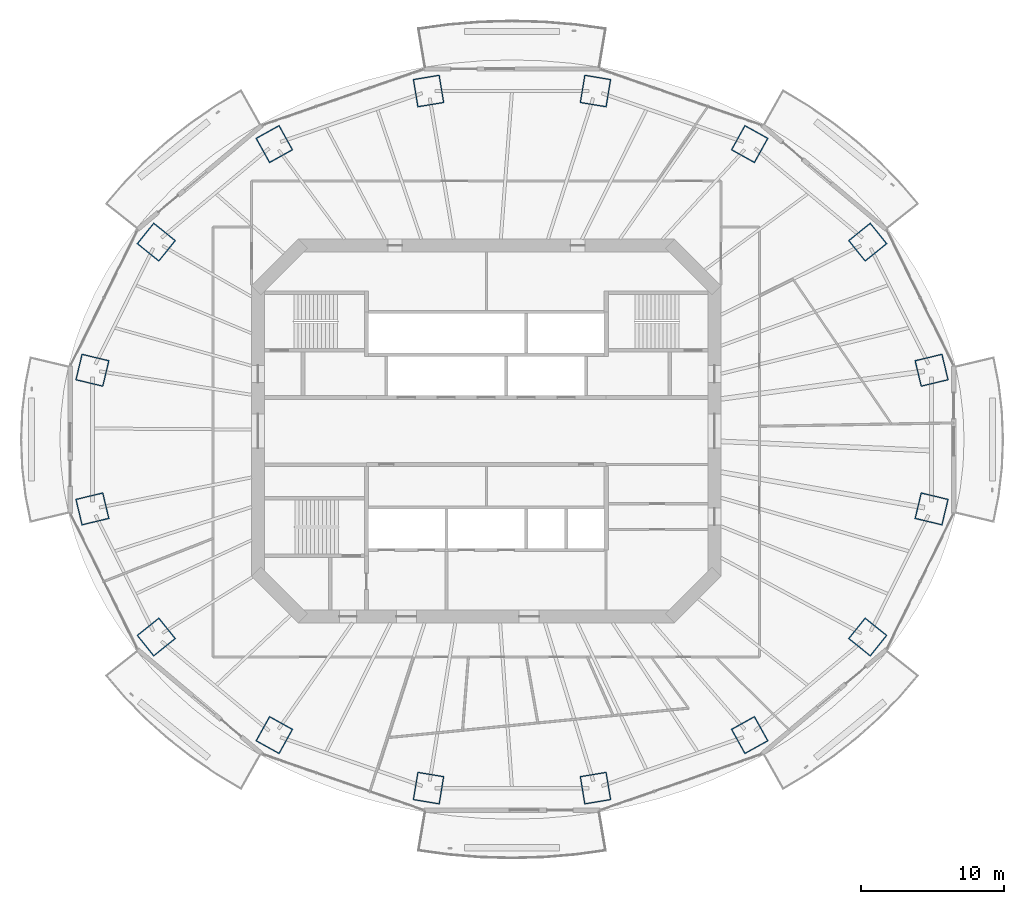
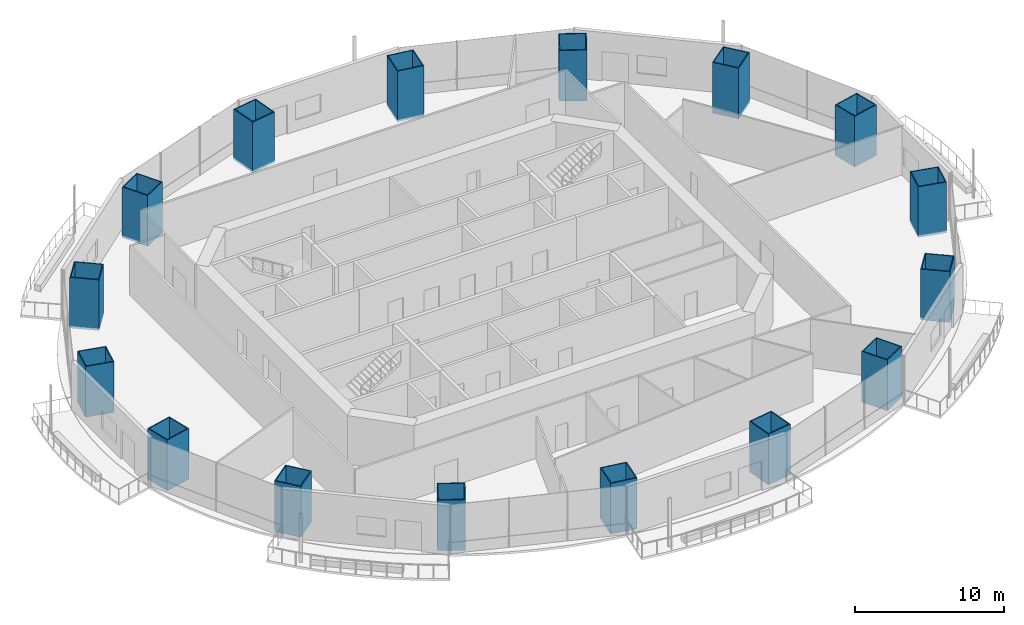
# One storey, part 1 of 21: 16 columns.
"""IFC4 building model written with IfcOpenShell, lengths in metres."""

from ifc_helpers import new_model, si_unit, direction, frame, origin, origin_2d, place, context, subcontext, project, spatial, rectangle, hollow_rectangle, extrude, material, material_profile, profile_set, type_object, element, save


model = new_model("IFC4")

# Units and contexts
model_context = context("Model", 3, precision=1e-05, world=origin(), true_north=direction((0.0, 1.0)))
body_context = subcontext(model_context, "Body", "Model", "MODEL_VIEW")
ifc_project = project(units=[si_unit("LENGTHUNIT", "METRE"), si_unit("AREAUNIT", "SQUARE_METRE"), si_unit("VOLUMEUNIT", "CUBIC_METRE"), si_unit("PLANEANGLEUNIT", "RADIAN"), si_unit("MASSUNIT", "GRAM", prefix="KILO")], contexts=[model_context])

# Site, building, storey
site_placement = place(None, origin())
site = spatial("IfcSite", under=ifc_project, at=site_placement, CompositionType="ELEMENT")
building_placement = place(site_placement, origin())
building = spatial("IfcBuilding", under=site, at=building_placement, Name="Marenthal Gate Tower", CompositionType="ELEMENT")
storey_placement = place(building_placement, frame((0.0, 0.0, 206.699951171875)))
storey = spatial("IfcBuildingStorey", under=building, at=storey_placement, Name="L45", CompositionType="ELEMENT", Elevation=206.699951171875)

# Columns
ifc_material_1 = material(Name="Steel S460", Category="steel")
ifc_material_profile_1 = material_profile(ifc_material_1, hollow_rectangle(XDim=1.89990234375, YDim=2.0, WallThickness=0.070068359375, at=origin_2d()), Name="CFT BOX 2000X1900X70")
ifc_material_2 = material(Name="Concrete 70 MPa", Category="concrete")
ifc_material_profile_2 = material_profile(ifc_material_2, rectangle(XDim=1.760009765625, YDim=1.860107421875, at=origin_2d()), Name="CFT BOX 2000X1900X70 INFILL")
ifc_profile_set = profile_set([ifc_material_profile_1, ifc_material_profile_2], Name="Steel S460 shell, Concrete 70 MPa infill")
column_type = type_object("IfcColumnType", Name="CFT BOX 2000X1900X70", PredefinedType="COLUMN", material=ifc_profile_set)
for number, where, z_axis, x_axis, name in (
    (1, (31.2158203125, 4.2607421875, -0.179931640625), (0.0, 0.0, 1.0), (0.232863214816, -0.972509497735, 0.0), "COL-L45-01"),
    (2, (26.7373046875, 13.241943359375, -0.179931640625), (0.0, 0.0, 1.0), (0.626752061972, -0.779218745164, 0.0), "COL-L45-02"),
    (3, (18.462646484375, 20.1162109375, -0.179931640625), (0.0, 0.0, 1.0), (0.874336943644, -0.48531938863, 0.0), "COL-L45-03"),
    (4, (7.651123046875, 23.836181640625, -0.179931640625), (0.0, 0.0, 1.0), (0.986621147056, -0.163029789247, 0.0), "COL-L45-04"),
    (5, (-4.051025390625, 23.836181640625, -0.179931640625), (0.0, 0.0, 1.0), (0.986621147056, 0.163029789247, 0.0), "COL-L45-05"),
    (6, (-14.86279296875, 20.1162109375, -0.179931640625), (0.0, 0.0, 1.0), (0.874336943644, 0.48531938863, 0.0), "COL-L45-06"),
    (7, (-23.137451171875, 13.241943359375, -0.179931640625), (0.0, 0.0, 1.0), (0.626752061972, 0.779218745164, 0.0), "COL-L45-07"),
    (8, (-27.61572265625, 4.2607421875, -0.179931640625), (0.0, 0.0, 1.0), (0.232863214816, 0.972509497735, 0.0), "COL-L45-08"),
    (9, (-27.61572265625, -5.460693359375, -0.179931640625), (0.0, 0.0, 1.0), (-0.232863214816, 0.972509497735, 0.0), "COL-L45-09"),
    (10, (-23.137451171875, -14.44189453125, -0.179931640625), (0.0, 0.0, 1.0), (-0.626752061972, 0.779218745164, 0.0), "COL-L45-10"),
    (11, (-14.86279296875, -21.316162109375, -0.179931640625), (0.0, 0.0, 1.0), (-0.874336943644, 0.48531938863, 0.0), "COL-L45-11"),
    (12, (-4.051025390625, -25.036376953125, -0.179931640625), (0.0, 0.0, 1.0), (-0.986621147056, 0.163029789247, 0.0), "COL-L45-12"),
    (13, (7.651123046875, -25.036376953125, -0.179931640625), (0.0, 0.0, 1.0), (-0.986621147056, -0.163029789247, 0.0), "COL-L45-13"),
    (14, (18.462646484375, -21.316162109375, -0.179931640625), (0.0, 0.0, 1.0), (-0.874336943644, -0.48531938863, 0.0), "COL-L45-14"),
    (15, (26.7373046875, -14.44189453125, -0.179931640625), (0.0, 0.0, 1.0), (-0.626752061972, -0.779218745164, 0.0), "COL-L45-15"),
    (16, (31.2158203125, -5.460693359375, -0.179931640625), (0.0, 0.0, 1.0), (-0.232863214816, -0.972509497735, 0.0), "COL-L45-16"),
):
    element("IfcColumn", number, at=place(storey_placement, frame(where, z_axis=z_axis, x_axis=x_axis)), inside=storey, type_object=column_type, Name=name, PredefinedType="COLUMN", context=body_context, shape_type="SweptSolid", body=[
        extrude(hollow_rectangle(XDim=1.89990234375, YDim=2.0, WallThickness=0.070068359375, at=origin_2d()), origin(), (0.0, 0.0, 1.0), 4.14990234375),
    ])

save(model, "model.ifc")
